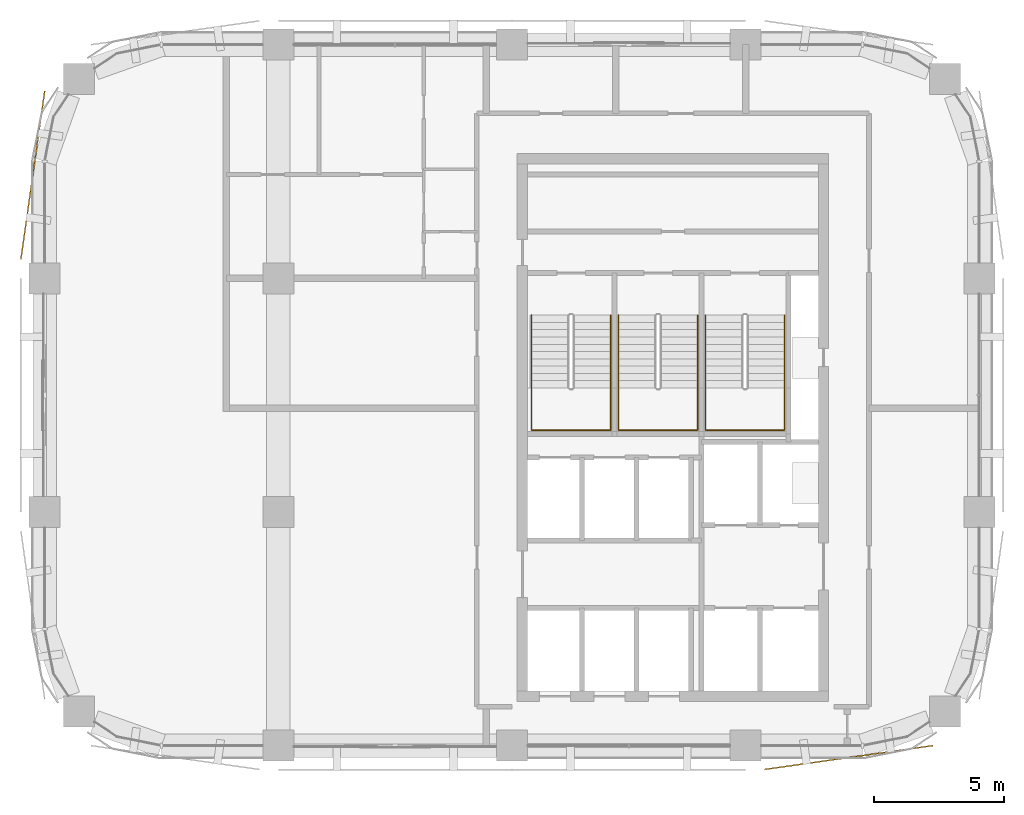
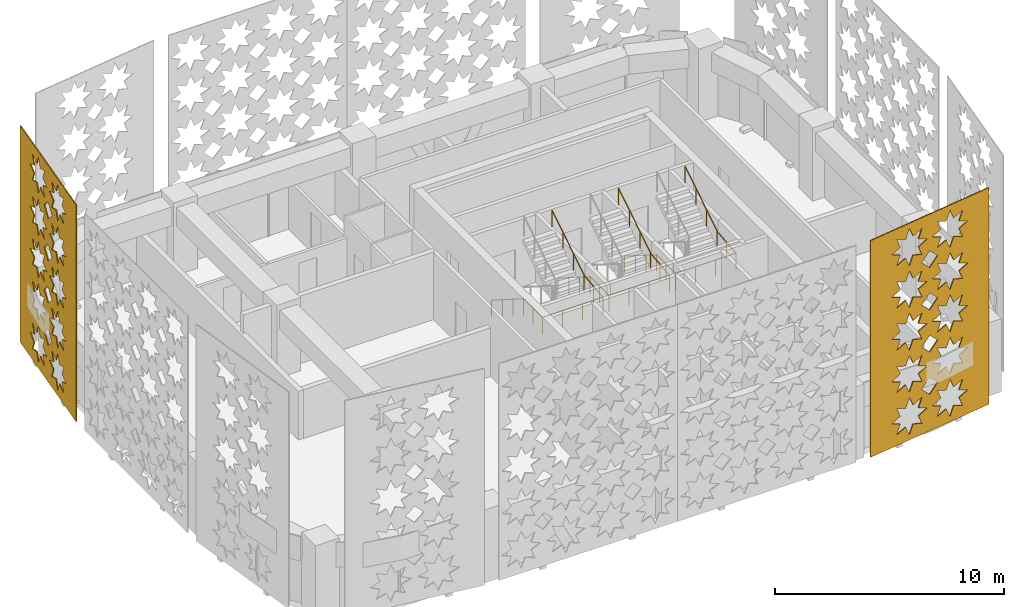
# One storey, part 12 of 15: 3 railings, 2 coverings.
"""IFC4 building model written with IfcOpenShell, lengths in metres."""

from ifc_helpers import new_model, si_unit, direction, frame, origin, origin_2d, place, context, subcontext, project, spatial, polyline, circle, outline, extrude, material, layer, layer_set, type_object, element, save


model = new_model("IFC4")

# Units and contexts
model_context = context("Model", 3, precision=1e-05, world=origin(), true_north=direction((0.0, 1.0)))
body_context = subcontext(model_context, "Body", "Model", "MODEL_VIEW")
ifc_project = project(units=[si_unit("LENGTHUNIT", "METRE"), si_unit("AREAUNIT", "SQUARE_METRE"), si_unit("VOLUMEUNIT", "CUBIC_METRE"), si_unit("PLANEANGLEUNIT", "RADIAN"), si_unit("MASSUNIT", "GRAM", prefix="KILO")], contexts=[model_context])

# Site, building, storey
site_placement = place(None, origin())
site = spatial("IfcSite", under=ifc_project, at=site_placement, CompositionType="ELEMENT")
building_placement = place(site_placement, origin())
building = spatial("IfcBuilding", under=site, at=building_placement, Name="Tessera Arch", CompositionType="ELEMENT")
storey_placement = place(building_placement, frame((0.0, 0.0, 257.89990234375)))
storey = spatial("IfcBuildingStorey", under=building, at=storey_placement, Name="L62", CompositionType="ELEMENT", Elevation=257.89990234375)

# Coverings
ifc_material_1 = material(Name="Anodised aluminium pale metal", Category="aluminium")
ifc_layer = layer(ifc_material_1, 0.050048828125)
ifc_layer_set = layer_set([ifc_layer], Name="Pierced screen panel corner bay")
covering_type = type_object("IfcCoveringType", Name="Pierced screen panel corner bay", PredefinedType="CLADDING", material=ifc_layer_set)
covering_1_placement = place(storey_placement, frame((18.02587890625, 52.2080078125, 11.7001953125), z_axis=(0.990141011378, -0.140074186016, 0.0), x_axis=(-0.140074186016, -0.990141011378, 0.0)))
element("IfcCovering", 1, at=covering_1_placement, inside=storey, type_object=covering_type, Name="SCREEN pierced panel W18.27/0 L62-L64", PredefinedType="CLADDING", context=body_context, shape_type="SweptSolid", body=[
    extrude(outline(polyline([(0.0, 0.0), (6.546475218445481, 0.0), (6.546475218445481, 11.5400390625), (0.0, 11.5400390625), (0.0, 0.0)]), holes=[polyline([(3.137858409575383, 10.27001953125), (2.6469229422635148, 10.06298828125), (2.8479028079497066, 9.570068359375), (2.354999273675671, 9.77099609375), (2.1478734734576217, 9.280029296875), (1.941990539265672, 9.77099609375), (1.447878336764857, 9.570068359375), (1.6490657382970841, 10.06298828125), (1.15788853733986, 10.27001953125), (1.6490657382970841, 10.47705078125), (1.447878336764857, 10.97021484375), (1.941990539265672, 10.76904296875), (2.1478734734576217, 11.260009765625), (2.354999273675671, 10.76904296875), (2.8479028079497066, 10.97021484375), (2.6469229422635148, 10.47705078125), (3.137858409575383, 10.27001953125)]), polyline([(3.137858409575383, 8.02001953125), (2.6469229422635148, 7.81298828125), (2.8479028079497066, 7.320068359375), (2.354999273675671, 7.52099609375), (2.1478734734576217, 7.030029296875), (1.941990539265672, 7.52099609375), (1.447878336764857, 7.320068359375), (1.6490657382970841, 7.81298828125), (1.15788853733986, 8.02001953125), (1.6490657382970841, 8.22705078125), (1.447878336764857, 8.72021484375), (1.941990539265672, 8.51904296875), (2.1478734734576217, 9.010009765625), (2.354999273675671, 8.51904296875), (2.8479028079497066, 8.72021484375), (2.6469229422635148, 8.22705078125), (3.137858409575383, 8.02001953125)]), polyline([(3.137858409575383, 5.77001953125), (2.6469229422635148, 5.56298828125), (2.8479028079497066, 5.070068359375), (2.354999273675671, 5.27099609375), (2.1478734734576217, 4.780029296875), (1.941990539265672, 5.27099609375), (1.447878336764857, 5.070068359375), (1.6490657382970841, 5.56298828125), (1.15788853733986, 5.77001953125), (1.6490657382970841, 5.97705078125), (1.447878336764857, 6.47021484375), (1.941990539265672, 6.26904296875), (2.1478734734576217, 6.760009765625), (2.354999273675671, 6.26904296875), (2.8479028079497066, 6.47021484375), (2.6469229422635148, 5.97705078125), (3.137858409575383, 5.77001953125)]), polyline([(3.137858409575383, 3.52001953125), (2.6469229422635148, 3.31298828125), (2.8479028079497066, 2.820068359375), (2.354999273675671, 3.02099609375), (2.1478734734576217, 2.530029296875), (1.941990539265672, 3.02099609375), (1.447878336764857, 2.820068359375), (1.6490657382970841, 3.31298828125), (1.15788853733986, 3.52001953125), (1.6490657382970841, 3.72705078125), (1.447878336764857, 4.22021484375), (1.941990539265672, 4.01904296875), (2.1478734734576217, 4.510009765625), (2.354999273675671, 4.01904296875), (2.8479028079497066, 4.22021484375), (2.6469229422635148, 3.72705078125), (3.137858409575383, 3.52001953125)]), polyline([(3.137858409575383, 1.27001953125), (2.6469229422635148, 1.06298828125), (2.8479028079497066, 0.570068359375), (2.354999273675671, 0.77099609375), (2.1478734734576217, 0.280029296875), (1.941990539265672, 0.77099609375), (1.447878336764857, 0.570068359375), (1.6490657382970841, 1.06298828125), (1.15788853733986, 1.27001953125), (1.6490657382970841, 1.47705078125), (1.447878336764857, 1.97021484375), (1.941990539265672, 1.76904296875), (2.1478734734576217, 2.260009765625), (2.354999273675671, 1.76904296875), (2.8479028079497066, 1.97021484375), (2.6469229422635148, 1.47705078125), (3.137858409575383, 1.27001953125)]), polyline([(5.387827282370234, 10.27001953125), (4.896891815058366, 10.06298828125), (5.097871680744557, 9.570068359375), (4.604968146470521, 9.77099609375), (4.397842346252473, 9.280029296875), (4.191959412060523, 9.77099609375), (3.698088943205064, 9.570068359375), (3.899034611091935, 10.06298828125), (3.407857410134711, 10.27001953125), (3.899034611091935, 10.47705078125), (3.698088943205064, 10.97021484375), (4.191959412060523, 10.76904296875), (4.397842346252473, 11.260009765625), (4.604968146470521, 10.76904296875), (5.097871680744557, 10.97021484375), (4.896891815058366, 10.47705078125), (5.387827282370234, 10.27001953125)]), polyline([(5.387827282370234, 8.02001953125), (4.896891815058366, 7.81298828125), (5.097871680744557, 7.320068359375), (4.604968146470521, 7.52099609375), (4.397842346252473, 7.030029296875), (4.191959412060523, 7.52099609375), (3.698088943205064, 7.320068359375), (3.899034611091935, 7.81298828125), (3.407857410134711, 8.02001953125), (3.899034611091935, 8.22705078125), (3.698088943205064, 8.72021484375), (4.191959412060523, 8.51904296875), (4.397842346252473, 9.010009765625), (4.604968146470521, 8.51904296875), (5.097871680744557, 8.72021484375), (4.896891815058366, 8.22705078125), (5.387827282370234, 8.02001953125)]), polyline([(5.387827282370234, 5.77001953125), (4.896891815058366, 5.56298828125), (5.097871680744557, 5.070068359375), (4.604968146470521, 5.27099609375), (4.397842346252473, 4.780029296875), (4.191959412060523, 5.27099609375), (3.698088943205064, 5.070068359375), (3.899034611091935, 5.56298828125), (3.407857410134711, 5.77001953125), (3.899034611091935, 5.97705078125), (3.698088943205064, 6.47021484375), (4.191959412060523, 6.26904296875), (4.397842346252473, 6.760009765625), (4.604968146470521, 6.26904296875), (5.097871680744557, 6.47021484375), (4.896891815058366, 5.97705078125), (5.387827282370234, 5.77001953125)]), polyline([(5.387827282370234, 3.52001953125), (4.896891815058366, 3.31298828125), (5.097871680744557, 2.820068359375), (4.604968146470521, 3.02099609375), (4.397842346252473, 2.530029296875), (4.191959412060523, 3.02099609375), (3.698088943205064, 2.820068359375), (3.899034611091935, 3.31298828125), (3.407857410134711, 3.52001953125), (3.899034611091935, 3.72705078125), (3.698088943205064, 4.22021484375), (4.191959412060523, 4.01904296875), (4.397842346252473, 4.510009765625), (4.604968146470521, 4.01904296875), (5.097871680744557, 4.22021484375), (4.896891815058366, 3.72705078125), (5.387827282370234, 3.52001953125)]), polyline([(5.387827282370234, 1.27001953125), (4.896891815058366, 1.06298828125), (5.097871680744557, 0.570068359375), (4.604968146470521, 0.77099609375), (4.397842346252473, 0.280029296875), (4.191959412060523, 0.77099609375), (3.698088943205064, 0.570068359375), (3.899034611091935, 1.06298828125), (3.407857410134711, 1.27001953125), (3.899034611091935, 1.47705078125), (3.698088943205064, 1.97021484375), (4.191959412060523, 1.76904296875), (4.397842346252473, 2.260009765625), (4.604968146470521, 1.76904296875), (5.097871680744557, 1.97021484375), (4.896891815058366, 1.47705078125), (5.387827282370234, 1.27001953125)]), polyline([(3.7229828105764913, 9.14501953125), (3.2729958755773856, 8.695068359375), (2.8229747427789587, 9.14501953125), (3.2729958755773856, 9.59521484375), (3.7229828105764913, 9.14501953125)]), polyline([(3.7229828105764913, 6.89501953125), (3.2729958755773856, 6.445068359375), (2.8229747427789587, 6.89501953125), (3.2729958755773856, 7.34521484375), (3.7229828105764913, 6.89501953125)]), polyline([(3.7229828105764913, 4.64501953125), (3.2729958755773856, 4.195068359375), (2.8229747427789587, 4.64501953125), (3.2729958755773856, 5.09521484375), (3.7229828105764913, 4.64501953125)]), polyline([(3.7229828105764913, 2.39501953125), (3.2729958755773856, 1.945068359375), (2.8229747427789587, 2.39501953125), (3.2729958755773856, 2.84521484375), (3.7229828105764913, 2.39501953125)])]), origin(), (0.0, 0.0, -1.0), 0.050048828125),
])
covering_2_placement = place(storey_placement, frame((45.72607421875, 26.10888671875, 11.7001953125), z_axis=(-0.140074186016, 0.990141011378, 0.0), x_axis=(0.990141011378, 0.140074186016, 0.0)))
element("IfcCovering", 2, at=covering_2_placement, inside=storey, type_object=covering_type, Name="SCREEN pierced panel S27.18/3 L62-L64", PredefinedType="CLADDING", context=body_context, shape_type="SweptSolid", body=[
    extrude(outline(polyline([(0.0, 0.0), (6.546475218445481, 0.0), (6.546475218445481, 11.5400390625), (0.0, 11.5400390625), (0.0, 0.0)]), holes=[polyline([(3.1378926073747033, 10.27001953125), (2.646957140062835, 10.06298828125), (2.8479028079497066, 9.570068359375), (2.354999273675671, 9.77099609375), (2.147907671256942, 9.280029296875), (1.941990539265672, 9.77099609375), (1.4481200704102128, 9.570068359375), (1.6490657382970841, 10.06298828125), (1.158130270985216, 10.27001953125), (1.6490657382970841, 10.47705078125), (1.4481200704102128, 10.97021484375), (1.941990539265672, 10.76904296875), (2.147907671256942, 11.260009765625), (2.354999273675671, 10.76904296875), (2.8479028079497066, 10.97021484375), (2.646957140062835, 10.47705078125), (3.1378926073747033, 10.27001953125)]), polyline([(3.1378926073747033, 8.02001953125), (2.646957140062835, 7.81298828125), (2.8479028079497066, 7.320068359375), (2.354999273675671, 7.52099609375), (2.147907671256942, 7.030029296875), (1.941990539265672, 7.52099609375), (1.4481200704102128, 7.320068359375), (1.6490657382970841, 7.81298828125), (1.158130270985216, 8.02001953125), (1.6490657382970841, 8.22705078125), (1.4481200704102128, 8.72021484375), (1.941990539265672, 8.51904296875), (2.147907671256942, 9.010009765625), (2.354999273675671, 8.51904296875), (2.8479028079497066, 8.72021484375), (2.646957140062835, 8.22705078125), (3.1378926073747033, 8.02001953125)]), polyline([(3.1378926073747033, 5.77001953125), (2.646957140062835, 5.56298828125), (2.8479028079497066, 5.070068359375), (2.354999273675671, 5.27099609375), (2.147907671256942, 4.780029296875), (1.941990539265672, 5.27099609375), (1.4481200704102128, 5.070068359375), (1.6490657382970841, 5.56298828125), (1.158130270985216, 5.77001953125), (1.6490657382970841, 5.97705078125), (1.4481200704102128, 6.47021484375), (1.941990539265672, 6.26904296875), (2.147907671256942, 6.760009765625), (2.354999273675671, 6.26904296875), (2.8479028079497066, 6.47021484375), (2.646957140062835, 5.97705078125), (3.1378926073747033, 5.77001953125)]), polyline([(3.1378926073747033, 3.52001953125), (2.646957140062835, 3.31298828125), (2.8479028079497066, 2.820068359375), (2.354999273675671, 3.02099609375), (2.147907671256942, 2.530029296875), (1.941990539265672, 3.02099609375), (1.4481200704102128, 2.820068359375), (1.6490657382970841, 3.31298828125), (1.158130270985216, 3.52001953125), (1.6490657382970841, 3.72705078125), (1.4481200704102128, 4.22021484375), (1.941990539265672, 4.01904296875), (2.147907671256942, 4.510009765625), (2.354999273675671, 4.01904296875), (2.8479028079497066, 4.22021484375), (2.646957140062835, 3.72705078125), (3.1378926073747033, 3.52001953125)]), polyline([(3.1378926073747033, 1.27001953125), (2.646957140062835, 1.06298828125), (2.8479028079497066, 0.570068359375), (2.354999273675671, 0.77099609375), (2.147907671256942, 0.280029296875), (1.941990539265672, 0.77099609375), (1.4481200704102128, 0.570068359375), (1.6490657382970841, 1.06298828125), (1.158130270985216, 1.27001953125), (1.6490657382970841, 1.47705078125), (1.4481200704102128, 1.97021484375), (1.941990539265672, 1.76904296875), (2.147907671256942, 2.260009765625), (2.354999273675671, 1.76904296875), (2.8479028079497066, 1.97021484375), (2.646957140062835, 1.47705078125), (3.1378926073747033, 1.27001953125)]), polyline([(5.387861480169554, 10.27001953125), (4.896926012857686, 10.06298828125), (5.097871680744557, 9.570068359375), (4.604968146470521, 9.77099609375), (4.398118277697149, 9.280029296875), (4.191959412060523, 9.77099609375), (3.698088943205064, 9.570068359375), (3.899034611091935, 10.06298828125), (3.408099143780067, 10.27001953125), (3.899034611091935, 10.47705078125), (3.698088943205064, 10.97021484375), (4.191959412060523, 10.76904296875), (4.398118277697149, 11.260009765625), (4.604968146470521, 10.76904296875), (5.097871680744557, 10.97021484375), (4.896926012857686, 10.47705078125), (5.387861480169554, 10.27001953125)]), polyline([(5.387861480169554, 8.02001953125), (4.896926012857686, 7.81298828125), (5.097871680744557, 7.320068359375), (4.604968146470521, 7.52099609375), (4.398118277697149, 7.030029296875), (4.191959412060523, 7.52099609375), (3.698088943205064, 7.320068359375), (3.899034611091935, 7.81298828125), (3.408099143780067, 8.02001953125), (3.899034611091935, 8.22705078125), (3.698088943205064, 8.72021484375), (4.191959412060523, 8.51904296875), (4.398118277697149, 9.010009765625), (4.604968146470521, 8.51904296875), (5.097871680744557, 8.72021484375), (4.896926012857686, 8.22705078125), (5.387861480169554, 8.02001953125)]), polyline([(5.387861480169554, 5.77001953125), (4.896926012857686, 5.56298828125), (5.097871680744557, 5.070068359375), (4.604968146470521, 5.27099609375), (4.398118277697149, 4.780029296875), (4.191959412060523, 5.27099609375), (3.698088943205064, 5.070068359375), (3.899034611091935, 5.56298828125), (3.408099143780067, 5.77001953125), (3.899034611091935, 5.97705078125), (3.698088943205064, 6.47021484375), (4.191959412060523, 6.26904296875), (4.398118277697149, 6.760009765625), (4.604968146470521, 6.26904296875), (5.097871680744557, 6.47021484375), (4.896926012857686, 5.97705078125), (5.387861480169554, 5.77001953125)]), polyline([(5.387861480169554, 3.52001953125), (4.896926012857686, 3.31298828125), (5.097871680744557, 2.820068359375), (4.604968146470521, 3.02099609375), (4.398118277697149, 2.530029296875), (4.191959412060523, 3.02099609375), (3.698088943205064, 2.820068359375), (3.899034611091935, 3.31298828125), (3.408099143780067, 3.52001953125), (3.899034611091935, 3.72705078125), (3.698088943205064, 4.22021484375), (4.191959412060523, 4.01904296875), (4.398118277697149, 4.510009765625), (4.604968146470521, 4.01904296875), (5.097871680744557, 4.22021484375), (4.896926012857686, 3.72705078125), (5.387861480169554, 3.52001953125)]), polyline([(5.387861480169554, 1.27001953125), (4.896926012857686, 1.06298828125), (5.097871680744557, 0.570068359375), (4.604968146470521, 0.77099609375), (4.398118277697149, 0.280029296875), (4.191959412060523, 0.77099609375), (3.698088943205064, 0.570068359375), (3.899034611091935, 1.06298828125), (3.408099143780067, 1.27001953125), (3.899034611091935, 1.47705078125), (3.698088943205064, 1.97021484375), (4.191959412060523, 1.76904296875), (4.398118277697149, 2.260009765625), (4.604968146470521, 1.76904296875), (5.097871680744557, 1.97021484375), (4.896926012857686, 1.47705078125), (5.387861480169554, 1.27001953125)]), polyline([(3.7229828105764913, 9.14501953125), (3.2729958755773856, 8.695068359375), (2.823008940578279, 9.14501953125), (3.2729958755773856, 9.59521484375), (3.7229828105764913, 9.14501953125)]), polyline([(3.7229828105764913, 6.89501953125), (3.2729958755773856, 6.445068359375), (2.823008940578279, 6.89501953125), (3.2729958755773856, 7.34521484375), (3.7229828105764913, 6.89501953125)]), polyline([(3.7229828105764913, 4.64501953125), (3.2729958755773856, 4.195068359375), (2.823008940578279, 4.64501953125), (3.2729958755773856, 5.09521484375), (3.7229828105764913, 4.64501953125)]), polyline([(3.7229828105764913, 2.39501953125), (3.2729958755773856, 1.945068359375), (2.823008940578279, 2.39501953125), (3.2729958755773856, 2.84521484375), (3.7229828105764913, 2.39501953125)])]), origin(), (0.0, 0.0, -1.0), 0.050048828125),
])

# Railings
ifc_material_2 = material(Name="Painted steel handrail", Category="steel")
railing_type = type_object("IfcRailingType", Name="Stair handrail 900", PredefinedType="HANDRAIL", material=ifc_material_2)
railing_1_placement = place(storey_placement, frame((36.75, 43.580078125, 0.177490234375)))
element("IfcRailing", 3, at=railing_1_placement, inside=storey, type_object=railing_type, Name="L62 S1a stair handrail", PredefinedType="HANDRAIL", context=body_context, shape_type="SweptSolid", body=[
    extrude(circle(Radius=0.02392578125, at=origin_2d()), frame((0.0, 0.00341796875, 0.873779296875), z_axis=(0.0, -0.844908973607, 0.534910110503), x_axis=(1.0, 0.0, 0.0)), (0.0, 0.0, 1.0), 3.322021484375),
    extrude(circle(Radius=0.02392578125, at=origin_2d()), frame((0.0, -2.796142578125, 2.6484375), z_axis=(0.0, -1.0, 0.0), x_axis=(1.0, 0.0, 0.0)), (0.0, 0.0, 1.0), 1.63818359375),
    extrude(circle(Radius=0.02392578125, at=origin_2d()), frame((-0.00390625, -4.43017578125, 2.6484375), z_axis=(1.0, 0.0, 0.0), x_axis=(0.0, 1.0, 0.0)), (0.0, 0.0, 1.0), 3.05810546875),
    extrude(circle(Radius=0.02392578125, at=origin_2d()), frame((3.050048828125, -4.43408203125, 2.648193359375), z_axis=(0.0, 0.994140637614, 0.108094369164), x_axis=(-1.0, 0.0, 0.0)), (0.0, 0.0, 1.0), 1.647705078125),
    extrude(circle(Radius=0.02392578125, at=origin_2d()), frame((3.050048828125, -2.803466796875, 2.82373046875), z_axis=(0.0, 0.844908973607, 0.534910110503), x_axis=(-1.0, 0.0, 0.0)), (0.0, 0.0, 1.0), 3.322021484375),
    extrude(circle(Radius=0.02099609375, at=origin_2d()), origin(), (0.0, 0.0, 1.0), 0.86376953125),
    extrude(circle(Radius=0.02099609375, at=origin_2d()), frame((0.0, -0.933349609375, 0.5908203125)), (0.0, 0.0, 1.0), 0.86376953125),
    extrude(circle(Radius=0.02099609375, at=origin_2d()), frame((0.0, -1.86669921875, 1.181884765625)), (0.0, 0.0, 1.0), 0.86376953125),
    extrude(circle(Radius=0.02099609375, at=origin_2d()), frame((0.0, -2.800048828125, 1.772705078125)), (0.0, 0.0, 1.0), 0.86376953125),
    extrude(circle(Radius=0.02099609375, at=origin_2d()), frame((0.0, -3.615234375, 1.772705078125)), (0.0, 0.0, 1.0), 0.86376953125),
    extrude(circle(Radius=0.02099609375, at=origin_2d()), frame((0.0, -4.43017578125, 1.772705078125)), (0.0, 0.0, 1.0), 0.86376953125),
    extrude(circle(Radius=0.02099609375, at=origin_2d()), frame((1.0166015625, -4.43017578125, 1.772705078125)), (0.0, 0.0, 1.0), 0.86376953125),
    extrude(circle(Radius=0.02099609375, at=origin_2d()), frame((2.033447265625, -4.43017578125, 1.772705078125)), (0.0, 0.0, 1.0), 0.86376953125),
    extrude(circle(Radius=0.02099609375, at=origin_2d()), frame((3.050048828125, -4.43017578125, 1.772705078125)), (0.0, 0.0, 1.0), 0.86376953125),
    extrude(circle(Radius=0.02099609375, at=origin_2d()), frame((3.050048828125, -3.615234375, 1.861328125)), (0.0, 0.0, 1.0), 0.86376953125),
    extrude(circle(Radius=0.02099609375, at=origin_2d()), frame((3.050048828125, -2.800048828125, 1.949951171875)), (0.0, 0.0, 1.0), 0.86376953125),
    extrude(circle(Radius=0.02099609375, at=origin_2d()), frame((3.050048828125, -1.86669921875, 2.540771484375)), (0.0, 0.0, 1.0), 0.86376953125),
    extrude(circle(Radius=0.02099609375, at=origin_2d()), frame((3.050048828125, -0.933349609375, 3.1318359375)), (0.0, 0.0, 1.0), 0.86376953125),
    extrude(circle(Radius=0.02099609375, at=origin_2d()), frame((3.050048828125, 0.0, 3.72265625)), (0.0, 0.0, 1.0), 0.86376953125),
])
railing_2_placement = place(storey_placement, frame((40.10009765625, 43.580078125, 0.177490234375)))
element("IfcRailing", 4, at=railing_2_placement, inside=storey, type_object=railing_type, Name="L62 S1b stair handrail", PredefinedType="HANDRAIL", context=body_context, shape_type="SweptSolid", body=[
    extrude(circle(Radius=0.02392578125, at=origin_2d()), frame((0.0, 0.00341796875, 0.873779296875), z_axis=(0.0, -0.844908973607, 0.534910110503), x_axis=(1.0, 0.0, 0.0)), (0.0, 0.0, 1.0), 3.322021484375),
    extrude(circle(Radius=0.02392578125, at=origin_2d()), frame((0.0, -2.796142578125, 2.6484375), z_axis=(0.0, -1.0, 0.0), x_axis=(1.0, 0.0, 0.0)), (0.0, 0.0, 1.0), 1.63818359375),
    extrude(circle(Radius=0.02392578125, at=origin_2d()), frame((-0.00390625, -4.43017578125, 2.6484375), z_axis=(1.0, 0.0, 0.0), x_axis=(0.0, 1.0, 0.0)), (0.0, 0.0, 1.0), 3.057861328125),
    extrude(circle(Radius=0.02392578125, at=origin_2d()), frame((3.0498046875, -4.43408203125, 2.648193359375), z_axis=(0.0, 0.994140637614, 0.108094369164), x_axis=(-1.0, 0.0, 0.0)), (0.0, 0.0, 1.0), 1.647705078125),
    extrude(circle(Radius=0.02392578125, at=origin_2d()), frame((3.0498046875, -2.803466796875, 2.82373046875), z_axis=(0.0, 0.844908973607, 0.534910110503), x_axis=(-1.0, 0.0, 0.0)), (0.0, 0.0, 1.0), 3.322021484375),
    extrude(circle(Radius=0.02099609375, at=origin_2d()), origin(), (0.0, 0.0, 1.0), 0.86376953125),
    extrude(circle(Radius=0.02099609375, at=origin_2d()), frame((0.0, -0.933349609375, 0.5908203125)), (0.0, 0.0, 1.0), 0.86376953125),
    extrude(circle(Radius=0.02099609375, at=origin_2d()), frame((0.0, -1.86669921875, 1.181884765625)), (0.0, 0.0, 1.0), 0.86376953125),
    extrude(circle(Radius=0.02099609375, at=origin_2d()), frame((0.0, -2.800048828125, 1.772705078125)), (0.0, 0.0, 1.0), 0.86376953125),
    extrude(circle(Radius=0.02099609375, at=origin_2d()), frame((0.0, -3.615234375, 1.772705078125)), (0.0, 0.0, 1.0), 0.86376953125),
    extrude(circle(Radius=0.02099609375, at=origin_2d()), frame((0.0, -4.43017578125, 1.772705078125)), (0.0, 0.0, 1.0), 0.86376953125),
    extrude(circle(Radius=0.02099609375, at=origin_2d()), frame((1.0166015625, -4.43017578125, 1.772705078125)), (0.0, 0.0, 1.0), 0.86376953125),
    extrude(circle(Radius=0.02099609375, at=origin_2d()), frame((2.033203125, -4.43017578125, 1.772705078125)), (0.0, 0.0, 1.0), 0.86376953125),
    extrude(circle(Radius=0.02099609375, at=origin_2d()), frame((3.0498046875, -4.43017578125, 1.772705078125)), (0.0, 0.0, 1.0), 0.86376953125),
    extrude(circle(Radius=0.02099609375, at=origin_2d()), frame((3.0498046875, -3.615234375, 1.861328125)), (0.0, 0.0, 1.0), 0.86376953125),
    extrude(circle(Radius=0.02099609375, at=origin_2d()), frame((3.0498046875, -2.800048828125, 1.949951171875)), (0.0, 0.0, 1.0), 0.86376953125),
    extrude(circle(Radius=0.02099609375, at=origin_2d()), frame((3.0498046875, -1.86669921875, 2.540771484375)), (0.0, 0.0, 1.0), 0.86376953125),
    extrude(circle(Radius=0.02099609375, at=origin_2d()), frame((3.0498046875, -0.933349609375, 3.1318359375)), (0.0, 0.0, 1.0), 0.86376953125),
    extrude(circle(Radius=0.02099609375, at=origin_2d()), frame((3.0498046875, 0.0, 3.72265625)), (0.0, 0.0, 1.0), 0.86376953125),
])
railing_3_placement = place(storey_placement, frame((43.449951171875, 43.580078125, 0.177490234375)))
element("IfcRailing", 5, at=railing_3_placement, inside=storey, type_object=railing_type, Name="L62 S1c stair handrail", PredefinedType="HANDRAIL", context=body_context, shape_type="SweptSolid", body=[
    extrude(circle(Radius=0.02392578125, at=origin_2d()), frame((0.0, 0.00341796875, 0.873779296875), z_axis=(0.0, -0.844908973607, 0.534910110503), x_axis=(1.0, 0.0, 0.0)), (0.0, 0.0, 1.0), 3.322021484375),
    extrude(circle(Radius=0.02392578125, at=origin_2d()), frame((0.0, -2.796142578125, 2.6484375), z_axis=(0.0, -1.0, 0.0), x_axis=(1.0, 0.0, 0.0)), (0.0, 0.0, 1.0), 1.63818359375),
    extrude(circle(Radius=0.02392578125, at=origin_2d()), frame((-0.00390625, -4.43017578125, 2.6484375), z_axis=(1.0, 0.0, 0.0), x_axis=(0.0, 1.0, 0.0)), (0.0, 0.0, 1.0), 3.05810546875),
    extrude(circle(Radius=0.02392578125, at=origin_2d()), frame((3.050048828125, -4.43408203125, 2.648193359375), z_axis=(0.0, 0.994140637614, 0.108094369164), x_axis=(-1.0, 0.0, 0.0)), (0.0, 0.0, 1.0), 1.647705078125),
    extrude(circle(Radius=0.02392578125, at=origin_2d()), frame((3.050048828125, -2.803466796875, 2.82373046875), z_axis=(0.0, 0.844908973607, 0.534910110503), x_axis=(-1.0, 0.0, 0.0)), (0.0, 0.0, 1.0), 3.322021484375),
    extrude(circle(Radius=0.02099609375, at=origin_2d()), origin(), (0.0, 0.0, 1.0), 0.86376953125),
    extrude(circle(Radius=0.02099609375, at=origin_2d()), frame((0.0, -0.933349609375, 0.5908203125)), (0.0, 0.0, 1.0), 0.86376953125),
    extrude(circle(Radius=0.02099609375, at=origin_2d()), frame((0.0, -1.86669921875, 1.181884765625)), (0.0, 0.0, 1.0), 0.86376953125),
    extrude(circle(Radius=0.02099609375, at=origin_2d()), frame((0.0, -2.800048828125, 1.772705078125)), (0.0, 0.0, 1.0), 0.86376953125),
    extrude(circle(Radius=0.02099609375, at=origin_2d()), frame((0.0, -3.615234375, 1.772705078125)), (0.0, 0.0, 1.0), 0.86376953125),
    extrude(circle(Radius=0.02099609375, at=origin_2d()), frame((0.0, -4.43017578125, 1.772705078125)), (0.0, 0.0, 1.0), 0.86376953125),
    extrude(circle(Radius=0.02099609375, at=origin_2d()), frame((1.0166015625, -4.43017578125, 1.772705078125)), (0.0, 0.0, 1.0), 0.86376953125),
    extrude(circle(Radius=0.02099609375, at=origin_2d()), frame((2.033447265625, -4.43017578125, 1.772705078125)), (0.0, 0.0, 1.0), 0.86376953125),
    extrude(circle(Radius=0.02099609375, at=origin_2d()), frame((3.050048828125, -4.43017578125, 1.772705078125)), (0.0, 0.0, 1.0), 0.86376953125),
    extrude(circle(Radius=0.02099609375, at=origin_2d()), frame((3.050048828125, -3.615234375, 1.861328125)), (0.0, 0.0, 1.0), 0.86376953125),
    extrude(circle(Radius=0.02099609375, at=origin_2d()), frame((3.050048828125, -2.800048828125, 1.949951171875)), (0.0, 0.0, 1.0), 0.86376953125),
    extrude(circle(Radius=0.02099609375, at=origin_2d()), frame((3.050048828125, -1.86669921875, 2.540771484375)), (0.0, 0.0, 1.0), 0.86376953125),
    extrude(circle(Radius=0.02099609375, at=origin_2d()), frame((3.050048828125, -0.933349609375, 3.1318359375)), (0.0, 0.0, 1.0), 0.86376953125),
    extrude(circle(Radius=0.02099609375, at=origin_2d()), frame((3.050048828125, 0.0, 3.72265625)), (0.0, 0.0, 1.0), 0.86376953125),
])

save(model, "model.ifc")
